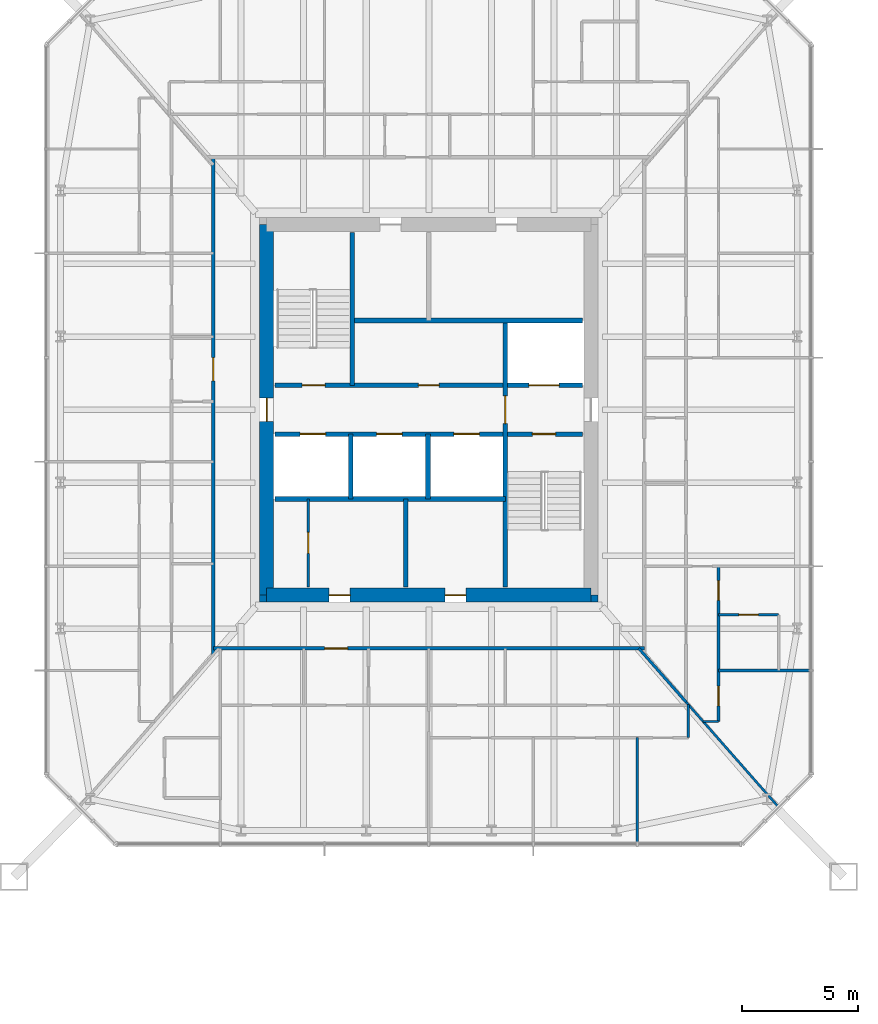
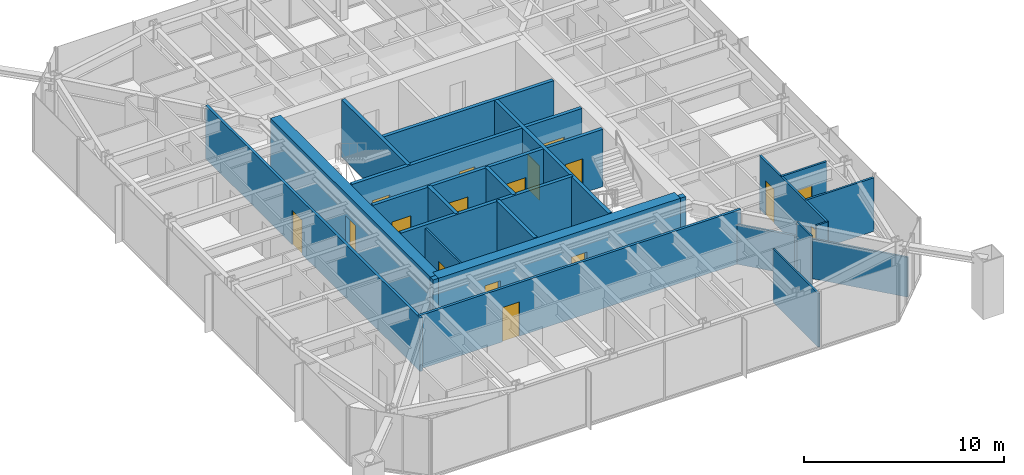
# One storey, part 19 of 26: 24 walls, 17 doors, 17 openings.
"""IFC4 building model written with IfcOpenShell, lengths in metres."""

from ifc_helpers import new_model, si_unit, direction, frame, frame_2d, origin, place, context, subcontext, project, spatial, rectangle, extrude, material, layer, layer_set, type_object, element, fill, save


model = new_model("IFC4")

# Units and contexts
model_context = context("Model", 3, precision=1e-05, world=origin(), true_north=direction((0.0, 1.0)))
body_context = subcontext(model_context, "Body", "Model", "MODEL_VIEW")
ifc_project = project(units=[si_unit("LENGTHUNIT", "METRE"), si_unit("AREAUNIT", "SQUARE_METRE"), si_unit("VOLUMEUNIT", "CUBIC_METRE"), si_unit("PLANEANGLEUNIT", "RADIAN"), si_unit("MASSUNIT", "GRAM", prefix="KILO")], contexts=[model_context])

# Site, building, storey
site_placement = place(None, origin())
site = spatial("IfcSite", under=ifc_project, at=site_placement, CompositionType="ELEMENT")
building_placement = place(site_placement, origin())
building = spatial("IfcBuilding", under=site, at=building_placement, Name="Iwan Alto Co-Living Towers", CompositionType="ELEMENT")
storey_placement = place(building_placement, frame((0.0, 0.0, 39.5)))
storey = spatial("IfcBuildingStorey", under=building, at=storey_placement, Name="L10", CompositionType="ELEMENT", Elevation=39.5)

# Wall, opening, door
ifc_material_1 = material(Name="Gypsum board")
ifc_layer_1 = layer(ifc_material_1, 0.02490234375, Name="Board", Category="Finish")
ifc_material_2 = material(Name="Steel ASTM A1003 ST33H cold-formed studs", Category="steel")
ifc_layer_2 = layer(ifc_material_2, 0.10009765625, Name="Studs", Category="Framing")
ifc_layer_3 = layer(ifc_material_1, 0.02490234375, Name="Board", Category="Finish")
ifc_layer_set_1 = layer_set([ifc_layer_1, ifc_layer_2, ifc_layer_3], Name="CORRIDOR WALL 150")
wall_type_1 = type_object("IfcWallType", Name="CORRIDOR WALL 150", PredefinedType="PARTITIONING", material=ifc_layer_set_1)
wall_1_placement = place(storey_placement, frame((53.699951171875, -10.300048828125, 0.0), z_axis=(0.0, 0.0, 1.0), x_axis=(1.0, 0.0, 0.0)))
wall_1 = element("IfcWall", 1, at=wall_1_placement, inside=storey, type_object=wall_type_1, Name="Partition L10", PredefinedType="PARTITIONING", context=body_context, shape_type="SweptSolid", body=[
    extrude(rectangle(XDim=18.60009765625, YDim=0.14990234375, at=frame_2d((9.300048828125, 0.0))), origin(), (0.0, 0.0, 1.0), 3.27001953125),
])
opening_1_placement = place(wall_1_placement, frame((4.800048828125, 0.0, 0.0)))
opening_1 = element("IfcOpeningElement", 2, at=opening_1_placement, cuts=wall_1, Name="Opening D3", PredefinedType="OPENING", context=body_context, shape_type="SweptSolid", body=[
    extrude(rectangle(XDim=1.0, YDim=2.10009765625, at=frame_2d((0.5, 1.050048828125))), frame((0.0, 0.0849609375, 0.0), z_axis=(0.0, -1.0, 0.0), x_axis=(1.0, 0.0, 0.0)), (0.0, 0.0, 1.0), 0.169921875),
])
ifc_material_3 = material(Name="Steel frame with timber leaf", Category="steel")
door_type_1 = type_object("IfcDoorType", Name="FLAT ENTRANCE DOOR FD30S 1000X2100", OperationType="SINGLE_SWING_LEFT", PredefinedType="DOOR", material=ifc_material_3)
door_1_placement = place(opening_1_placement, frame((1.0, 0.0, 0.0), z_axis=(0.0, 0.0, 1.0), x_axis=(-1.0, 0.0, 0.0)))
door_1 = element("IfcDoor", 3, at=door_1_placement, inside=storey, type_object=door_type_1, Name="Apartment foyer door L10", OperationType="SINGLE_SWING_RIGHT", OverallHeight=2.10009765625, OverallWidth=1.0, PredefinedType="DOOR", context=body_context, shape_type="SweptSolid", body=[
    extrude(rectangle(XDim=1.0, YDim=2.10009765625, at=frame_2d((0.5, 1.050048828125))), frame((0.0, 0.02490234375, 0.0), z_axis=(0.0, -1.0, 0.0), x_axis=(1.0, 0.0, 0.0)), (0.0, 0.0, 1.0), 0.050048828125),
])
fill(opening_1, door_1)

wall_2_placement = place(storey_placement, frame((53.699951171875, -10.568115234375, 0.0), z_axis=(0.0, 0.0, 1.0), x_axis=(0.0, 1.0, 0.0)))
wall_2 = element("IfcWall", 4, at=wall_2_placement, inside=storey, type_object=wall_type_1, Name="Partition L10", PredefinedType="PARTITIONING", context=body_context, shape_type="SweptSolid", body=[
    extrude(rectangle(XDim=21.468017578125, YDim=0.14990234375, at=frame_2d((10.73388671875, 0.0))), origin(), (0.0, 0.0, 1.0), 3.27001953125),
])
opening_2_placement = place(wall_2_placement, frame((11.818115234375, 0.0, 0.0)))
opening_2 = element("IfcOpeningElement", 5, at=opening_2_placement, cuts=wall_2, Name="Opening D3", PredefinedType="OPENING", context=body_context, shape_type="SweptSolid", body=[
    extrude(rectangle(XDim=1.0, YDim=2.10009765625, at=frame_2d((0.5, 1.050048828125))), frame((0.0, 0.0849609375, 0.0), z_axis=(0.0, -1.0, 0.0), x_axis=(1.0, 0.0, 0.0)), (0.0, 0.0, 1.0), 0.169921875),
])
door_2_placement = place(opening_2_placement, origin())
door_2 = element("IfcDoor", 6, at=door_2_placement, inside=storey, type_object=door_type_1, Name="Apartment foyer door L10", OperationType="SINGLE_SWING_LEFT", OverallHeight=2.10009765625, OverallWidth=1.0, PredefinedType="DOOR", context=body_context, shape_type="SweptSolid", body=[
    extrude(rectangle(XDim=1.0, YDim=2.10009765625, at=frame_2d((0.5, 1.050048828125))), frame((0.0, 0.02490234375, 0.0), z_axis=(0.0, -1.0, 0.0), x_axis=(1.0, 0.0, 0.0)), (0.0, 0.0, 1.0), 0.050048828125),
])
fill(opening_2, door_2)

# Walls
ifc_layer_4 = layer(ifc_material_1, 0.012451171875, Name="Board", Category="Finish")
ifc_layer_5 = layer(ifc_material_2, 0.074951171875, Name="Studs", Category="Framing")
ifc_layer_6 = layer(ifc_material_1, 0.012451171875, Name="Board", Category="Finish")
ifc_layer_set_2 = layer_set([ifc_layer_4, ifc_layer_5, ifc_layer_6], Name="PARTITION 100")
wall_type_2 = type_object("IfcWallType", Name="PARTITION 100", PredefinedType="PARTITIONING", material=ifc_layer_set_2)
wall_3_placement = place(storey_placement, frame((74.8359375, -13.449951171875, 0.0), z_axis=(0.0, 0.0, 1.0), x_axis=(1.0, 0.0, 0.0)))
element("IfcWall", 7, at=wall_3_placement, inside=storey, type_object=wall_type_2, Name="Partition L10", PredefinedType="PARTITIONING", context=body_context, shape_type="SweptSolid", body=[
    extrude(rectangle(XDim=0.6640625, YDim=0.10009765625, at=frame_2d((0.33203125, 0.0))), origin(), (0.0, 0.0, 1.0), 3.27001953125),
])
wall_4_placement = place(storey_placement, frame((74.199951171875, -14.14990234375, 0.0), z_axis=(0.0, 0.0, 1.0), x_axis=(0.0, 1.0, 0.0)))
element("IfcWall", 8, at=wall_4_placement, inside=storey, type_object=wall_type_2, Name="Partition L10", PredefinedType="PARTITIONING", context=body_context, shape_type="SweptSolid", body=[
    extrude(rectangle(XDim=1.4228515625, YDim=0.10009765625, at=frame_2d((0.71142578125, 0.0))), origin(), (0.0, 0.0, 1.0), 3.27001953125),
])
wall_5_placement = place(storey_placement, frame((72.0, -18.68994140625, 0.0), z_axis=(0.0, 0.0, 1.0), x_axis=(0.0, 1.0, 0.0)))
element("IfcWall", 9, at=wall_5_placement, inside=storey, type_object=wall_type_2, Name="Partition L10", PredefinedType="PARTITIONING", context=body_context, shape_type="SweptSolid", body=[
    extrude(rectangle(XDim=4.5400390625, YDim=0.10009765625, at=frame_2d((2.27001953125, 0.0))), origin(), (0.0, 0.0, 1.0), 3.27001953125),
])

# Wall, opening, door
wall_6_placement = place(storey_placement, frame((57.800048828125, -7.639892578125, 0.0), z_axis=(0.0, 0.0, 1.0), x_axis=(0.0, 1.0, 0.0)))
wall_6 = element("IfcWall", 10, at=wall_6_placement, inside=storey, type_object=wall_type_2, Name="Partition L10", PredefinedType="PARTITIONING", context=body_context, shape_type="SweptSolid", body=[
    extrude(rectangle(XDim=3.789794921875, YDim=0.10009765625, at=frame_2d((1.89501953125, 0.0))), origin(), (0.0, 0.0, 1.0), 3.300048828125),
])
opening_3_placement = place(wall_6_placement, frame((1.445068359375, 0.0, 0.0)))
opening_3 = element("IfcOpeningElement", 11, at=opening_3_placement, cuts=wall_6, Name="Opening D16", PredefinedType="OPENING", context=body_context, shape_type="SweptSolid", body=[
    extrude(rectangle(XDim=0.89990234375, YDim=2.10009765625, at=frame_2d((0.449951171875, 1.050048828125))), frame((0.0, 0.06005859375, 0.0), z_axis=(0.0, -1.0, 0.0), x_axis=(1.0, 0.0, 0.0)), (0.0, 0.0, 1.0), 0.1201171875),
])
ifc_material_4 = material(Name="Timber leaf in steel frame", Category="steel")
door_type_2 = type_object("IfcDoorType", Name="CUPBOARD SLIDING DOOR 900X2100", OperationType="SLIDING_TO_LEFT", PredefinedType="DOOR", material=ifc_material_4)
door_3_placement = place(opening_3_placement, origin())
door_3 = element("IfcDoor", 12, at=door_3_placement, inside=storey, type_object=door_type_2, Name="Recycling store door L10", OperationType="SLIDING_TO_LEFT", OverallHeight=2.10009765625, OverallWidth=0.89990234375, PredefinedType="DOOR", context=body_context, shape_type="SweptSolid", body=[
    extrude(rectangle(XDim=0.89990234375, YDim=2.10009765625, at=frame_2d((0.449951171875, 1.050048828125))), frame((0.0, 0.02490234375, 0.0), z_axis=(0.0, -1.0, 0.0), x_axis=(1.0, 0.0, 0.0)), (0.0, 0.0, 1.0), 0.050048828125),
])
fill(opening_3, door_3)

# Walls
wall_7_placement = place(storey_placement, frame((78.056884765625, -17.10888671875, 0.0), z_axis=(0.0, 0.0, 1.0), x_axis=(-0.660775837956, 0.750583301156, 0.0)))
element("IfcWall", 13, at=wall_7_placement, inside=storey, type_object=wall_type_2, Name="Partition L10", PredefinedType="PARTITIONING", context=body_context, shape_type="SweptSolid", body=[
    extrude(rectangle(XDim=5.98876953125, YDim=0.10009765625, at=frame_2d((2.994384765625, 0.0))), origin(), (0.0, 0.0, 1.0), 2.42919921875),
])
ifc_material_5 = material(Name="Concrete f'c 70 MPa", Category="concrete")
ifc_layer_7 = layer(ifc_material_5, 0.199951171875)
ifc_layer_set_3 = layer_set([ifc_layer_7], Name="SHAFT WALL 200")
wall_type_3 = type_object("IfcWallType", Name="SHAFT WALL 200", PredefinedType="SOLIDWALL", material=ifc_layer_set_3)
wall_8_placement = place(storey_placement, frame((56.360107421875, -3.85009765625, 0.0), z_axis=(0.0, 0.0, 1.0), x_axis=(1.0, 0.0, 0.0)))
element("IfcWall", 14, at=wall_8_placement, inside=storey, type_object=wall_type_3, Name="Shaft wall L10", PredefinedType="SOLIDWALL", context=body_context, shape_type="SweptSolid", body=[
    extrude(rectangle(XDim=9.93994140625, YDim=0.199951171875, at=frame_2d((4.969970703125, 0.0))), origin(), (0.0, 0.0, 1.0), 3.5),
])

# Wall, openings, doors
wall_9_placement = place(storey_placement, frame((56.360107421875, -1.050048828125, 0.0), z_axis=(0.0, 0.0, 1.0), x_axis=(1.0, 0.0, 0.0)))
wall_9 = element("IfcWall", 15, at=wall_9_placement, inside=storey, type_object=wall_type_3, Name="Shaft wall L10", PredefinedType="SOLIDWALL", context=body_context, shape_type="SweptSolid", body=[
    extrude(rectangle(XDim=13.27978515625, YDim=0.199951171875, at=frame_2d((6.639892578125, 0.0))), origin(), (0.0, 0.0, 1.0), 3.5),
])
opening_4_placement = place(wall_9_placement, frame((11.110107421875, 0.0, 0.0)))
opening_4 = element("IfcOpeningElement", 16, at=opening_4_placement, cuts=wall_9, Name="Opening D5", PredefinedType="OPENING", context=body_context, shape_type="SweptSolid", body=[
    extrude(rectangle(XDim=1.0, YDim=2.10009765625, at=frame_2d((0.5, 1.050048828125))), frame((0.0, 0.10986328125, 0.0), z_axis=(0.0, -1.0, 0.0), x_axis=(1.0, 0.0, 0.0)), (0.0, 0.0, 1.0), 0.219970703125),
])
opening_5_placement = place(wall_9_placement, frame((1.0869140625, 0.0, 0.0)))
opening_5 = element("IfcOpeningElement", 17, at=opening_5_placement, cuts=wall_9, Name="Opening LD", PredefinedType="OPENING", context=body_context, shape_type="SweptSolid", body=[
    extrude(rectangle(XDim=1.10009765625, YDim=2.10009765625, at=frame_2d((0.550048828125, 1.050048828125))), frame((0.0, 0.10986328125, 0.0), z_axis=(0.0, -1.0, 0.0), x_axis=(1.0, 0.0, 0.0)), (0.0, 0.0, 1.0), 0.219970703125),
])
opening_6_placement = place(wall_9_placement, frame((4.389892578125, 0.0, 0.0)))
opening_6 = element("IfcOpeningElement", 18, at=opening_6_placement, cuts=wall_9, Name="Opening LD", PredefinedType="OPENING", context=body_context, shape_type="SweptSolid", body=[
    extrude(rectangle(XDim=1.10009765625, YDim=2.10009765625, at=frame_2d((0.550048828125, 1.050048828125))), frame((0.0, 0.10986328125, 0.0), z_axis=(0.0, -1.0, 0.0), x_axis=(1.0, 0.0, 0.0)), (0.0, 0.0, 1.0), 0.219970703125),
])
opening_7_placement = place(wall_9_placement, frame((7.72412109375, 0.0, 0.0)))
opening_7 = element("IfcOpeningElement", 19, at=opening_7_placement, cuts=wall_9, Name="Opening LD", PredefinedType="OPENING", context=body_context, shape_type="SweptSolid", body=[
    extrude(rectangle(XDim=1.10009765625, YDim=2.10009765625, at=frame_2d((0.550048828125, 1.050048828125))), frame((0.0, 0.10986328125, 0.0), z_axis=(0.0, -1.0, 0.0), x_axis=(1.0, 0.0, 0.0)), (0.0, 0.0, 1.0), 0.219970703125),
])
ifc_material_6 = material(Name="Steel frame with timber leaf", Category="steel")
door_type_3 = type_object("IfcDoorType", Name="LIFT LANDING DOOR 1100X2100", OperationType="DOUBLE_DOOR_SLIDING", PredefinedType="DOOR", material=ifc_material_6)
door_4_placement = place(opening_5_placement, origin())
door_4 = element("IfcDoor", 20, at=door_4_placement, inside=storey, type_object=door_type_3, Name="Lift P5-1 landing door L10", OperationType="DOUBLE_DOOR_SLIDING", OverallHeight=2.10009765625, OverallWidth=1.10009765625, PredefinedType="DOOR", context=body_context, shape_type="SweptSolid", body=[
    extrude(rectangle(XDim=1.10009765625, YDim=2.10009765625, at=frame_2d((0.550048828125, 1.050048828125))), frame((0.0, 0.02490234375, 0.0), z_axis=(0.0, -1.0, 0.0), x_axis=(1.0, 0.0, 0.0)), (0.0, 0.0, 1.0), 0.050048828125),
])
fill(opening_5, door_4)
door_5_placement = place(opening_6_placement, origin())
door_5 = element("IfcDoor", 21, at=door_5_placement, inside=storey, type_object=door_type_3, Name="Lift P5-2 landing door L10", OperationType="DOUBLE_DOOR_SLIDING", OverallHeight=2.10009765625, OverallWidth=1.10009765625, PredefinedType="DOOR", context=body_context, shape_type="SweptSolid", body=[
    extrude(rectangle(XDim=1.10009765625, YDim=2.10009765625, at=frame_2d((0.550048828125, 1.050048828125))), frame((0.0, 0.02490234375, 0.0), z_axis=(0.0, -1.0, 0.0), x_axis=(1.0, 0.0, 0.0)), (0.0, 0.0, 1.0), 0.050048828125),
])
fill(opening_6, door_5)
door_6_placement = place(opening_7_placement, origin())
door_6 = element("IfcDoor", 22, at=door_6_placement, inside=storey, type_object=door_type_3, Name="Lift P6-3 landing door L10", OperationType="DOUBLE_DOOR_SLIDING", OverallHeight=2.10009765625, OverallWidth=1.10009765625, PredefinedType="DOOR", context=body_context, shape_type="SweptSolid", body=[
    extrude(rectangle(XDim=1.10009765625, YDim=2.10009765625, at=frame_2d((0.550048828125, 1.050048828125))), frame((0.0, 0.02490234375, 0.0), z_axis=(0.0, -1.0, 0.0), x_axis=(1.0, 0.0, 0.0)), (0.0, 0.0, 1.0), 0.050048828125),
])
fill(opening_7, door_6)
ifc_material_7 = material(Name="Steel frame with timber leaf", Category="steel")
door_type_4 = type_object("IfcDoorType", Name="STAIR DOOR FD120S 1000X2100", OperationType="SINGLE_SWING_LEFT", PredefinedType="DOOR", material=ifc_material_7)
door_7_placement = place(opening_4_placement, frame((1.0, 0.0, 0.0), z_axis=(0.0, 0.0, 1.0), x_axis=(-1.0, 0.0, 0.0)))
door_7 = element("IfcDoor", 23, at=door_7_placement, inside=storey, type_object=door_type_4, Name="Stair S2 door L10", OperationType="SINGLE_SWING_RIGHT", OverallHeight=2.10009765625, OverallWidth=1.0, PredefinedType="DOOR", context=body_context, shape_type="SweptSolid", body=[
    extrude(rectangle(XDim=1.0, YDim=2.10009765625, at=frame_2d((0.5, 1.050048828125))), frame((0.0, 0.02490234375, 0.0), z_axis=(0.0, -1.0, 0.0), x_axis=(1.0, 0.0, 0.0)), (0.0, 0.0, 1.0), 0.050048828125),
])
fill(opening_4, door_7)

wall_10_placement = place(storey_placement, frame((56.360107421875, 1.050048828125, 0.0), z_axis=(0.0, 0.0, 1.0), x_axis=(1.0, 0.0, 0.0)))
wall_10 = element("IfcWall", 24, at=wall_10_placement, inside=storey, type_object=wall_type_3, Name="Shaft wall L10", PredefinedType="SOLIDWALL", context=body_context, shape_type="SweptSolid", body=[
    extrude(rectangle(XDim=13.27978515625, YDim=0.199951171875, at=frame_2d((6.639892578125, 0.0))), origin(), (0.0, 0.0, 1.0), 3.5),
])
opening_8_placement = place(wall_10_placement, frame((1.169921875, 0.0, 0.0)))
opening_8 = element("IfcOpeningElement", 25, at=opening_8_placement, cuts=wall_10, Name="Opening D5", PredefinedType="OPENING", context=body_context, shape_type="SweptSolid", body=[
    extrude(rectangle(XDim=1.0, YDim=2.10009765625, at=frame_2d((0.5, 1.050048828125))), frame((0.0, 0.10986328125, 0.0), z_axis=(0.0, -1.0, 0.0), x_axis=(1.0, 0.0, 0.0)), (0.0, 0.0, 1.0), 0.219970703125),
])
opening_9_placement = place(wall_10_placement, frame((6.18994140625, 0.0, 0.0)))
opening_9 = element("IfcOpeningElement", 26, at=opening_9_placement, cuts=wall_10, Name="Opening D8", PredefinedType="OPENING", context=body_context, shape_type="SweptSolid", body=[
    extrude(rectangle(XDim=0.89990234375, YDim=2.10009765625, at=frame_2d((0.449951171875, 1.050048828125))), frame((0.0, 0.10986328125, 0.0), z_axis=(0.0, -1.0, 0.0), x_axis=(1.0, 0.0, 0.0)), (0.0, 0.0, 1.0), 0.219970703125),
])
opening_10_placement = place(wall_10_placement, frame((10.9599609375, 0.0, 0.0)))
opening_10 = element("IfcOpeningElement", 27, at=opening_10_placement, cuts=wall_10, Name="Opening LD2", PredefinedType="OPENING", context=body_context, shape_type="SweptSolid", body=[
    extrude(rectangle(XDim=1.300048828125, YDim=2.10009765625, at=frame_2d((0.64990234375, 1.050048828125))), frame((0.0, 0.10986328125, 0.0), z_axis=(0.0, -1.0, 0.0), x_axis=(1.0, 0.0, 0.0)), (0.0, 0.0, 1.0), 0.219970703125),
])
ifc_material_8 = material(Name="Steel frame with timber leaf", Category="steel")
door_type_5 = type_object("IfcDoorType", Name="LIFT LANDING DOOR 1300X2100", OperationType="SLIDING_TO_LEFT", PredefinedType="DOOR", material=ifc_material_8)
door_8_placement = place(opening_10_placement, origin())
door_8 = element("IfcDoor", 28, at=door_8_placement, inside=storey, type_object=door_type_5, Name="Lift FL2 landing door L10", OperationType="SLIDING_TO_LEFT", OverallHeight=2.10009765625, OverallWidth=1.300048828125, PredefinedType="DOOR", context=body_context, shape_type="SweptSolid", body=[
    extrude(rectangle(XDim=1.300048828125, YDim=2.10009765625, at=frame_2d((0.64990234375, 1.050048828125))), frame((0.0, 0.02490234375, 0.0), z_axis=(0.0, -1.0, 0.0), x_axis=(1.0, 0.0, 0.0)), (0.0, 0.0, 1.0), 0.050048828125),
])
fill(opening_10, door_8)
ifc_material_9 = material(Name="Steel frame with timber leaf", Category="steel")
door_type_6 = type_object("IfcDoorType", Name="RISER DOOR FD120 900X2100", OperationType="SINGLE_SWING_LEFT", PredefinedType="DOOR", material=ifc_material_9)
door_9_placement = place(opening_9_placement, origin())
door_9 = element("IfcDoor", 29, at=door_9_placement, inside=storey, type_object=door_type_6, Name="Riser room door L10", OperationType="SINGLE_SWING_LEFT", OverallHeight=2.10009765625, OverallWidth=0.89990234375, PredefinedType="DOOR", context=body_context, shape_type="SweptSolid", body=[
    extrude(rectangle(XDim=0.89990234375, YDim=2.10009765625, at=frame_2d((0.449951171875, 1.050048828125))), frame((0.0, 0.02490234375, 0.0), z_axis=(0.0, -1.0, 0.0), x_axis=(1.0, 0.0, 0.0)), (0.0, 0.0, 1.0), 0.050048828125),
])
fill(opening_9, door_9)
door_10_placement = place(opening_8_placement, origin())
door_10 = element("IfcDoor", 30, at=door_10_placement, inside=storey, type_object=door_type_4, Name="Stair S1 door L10", OperationType="SINGLE_SWING_RIGHT", OverallHeight=2.10009765625, OverallWidth=1.0, PredefinedType="DOOR", context=body_context, shape_type="SweptSolid", body=[
    extrude(rectangle(XDim=1.0, YDim=2.10009765625, at=frame_2d((0.5, 1.050048828125))), frame((0.0, 0.02490234375, 0.0), z_axis=(0.0, -1.0, 0.0), x_axis=(1.0, 0.0, 0.0)), (0.0, 0.0, 1.0), 0.050048828125),
])
fill(opening_8, door_10)

# Wall
wall_11_placement = place(storey_placement, frame((59.699951171875, 3.85009765625, 0.0), z_axis=(0.0, 0.0, 1.0), x_axis=(1.0, 0.0, 0.0)))
element("IfcWall", 31, at=wall_11_placement, inside=storey, type_object=wall_type_3, Name="Shaft wall L10", PredefinedType="SOLIDWALL", context=body_context, shape_type="SweptSolid", body=[
    extrude(rectangle(XDim=9.93994140625, YDim=0.199951171875, at=frame_2d((4.969970703125, 0.0))), origin(), (0.0, 0.0, 1.0), 3.5),
])

# Wall, opening, door
wall_12_placement = place(storey_placement, frame((66.300048828125, -7.639892578125, 0.0), z_axis=(0.0, 0.0, 1.0), x_axis=(0.0, 1.0, 0.0)))
wall_12 = element("IfcWall", 32, at=wall_12_placement, inside=storey, type_object=wall_type_3, Name="Shaft wall L10", PredefinedType="SOLIDWALL", context=body_context, shape_type="SweptSolid", body=[
    extrude(rectangle(XDim=11.489990234375, YDim=0.199951171875, at=frame_2d((5.7451171875, 0.0))), origin(), (0.0, 0.0, 1.0), 3.5),
])
opening_11_placement = place(wall_12_placement, frame((7.0400390625, 0.0, 0.0)))
opening_11 = element("IfcOpeningElement", 33, at=opening_11_placement, cuts=wall_12, Name="Opening D6", PredefinedType="OPENING", context=body_context, shape_type="SweptSolid", body=[
    extrude(rectangle(XDim=1.199951171875, YDim=2.10009765625, at=frame_2d((0.60009765625, 1.050048828125))), frame((0.0, 0.10986328125, 0.0), z_axis=(0.0, -1.0, 0.0), x_axis=(1.0, 0.0, 0.0)), (0.0, 0.0, 1.0), 0.219970703125),
])
ifc_material_10 = material(Name="Steel frame with timber leaf", Category="steel")
door_type_7 = type_object("IfcDoorType", Name="LOBBY DOOR FD120S 1200X2100", OperationType="SINGLE_SWING_LEFT", PredefinedType="DOOR", material=ifc_material_10)
door_11_placement = place(opening_11_placement, frame((1.199951171875, 0.0, 0.0), z_axis=(0.0, 0.0, 1.0), x_axis=(-1.0, 0.0, 0.0)))
door_11 = element("IfcDoor", 34, at=door_11_placement, inside=storey, type_object=door_type_7, Name="Firefighting lobby door L10", OperationType="SINGLE_SWING_RIGHT", OverallHeight=2.10009765625, OverallWidth=1.199951171875, PredefinedType="DOOR", context=body_context, shape_type="SweptSolid", body=[
    extrude(rectangle(XDim=1.199951171875, YDim=2.10009765625, at=frame_2d((0.60009765625, 1.050048828125))), frame((0.0, 0.02490234375, 0.0), z_axis=(0.0, -1.0, 0.0), x_axis=(1.0, 0.0, 0.0)), (0.0, 0.0, 1.0), 0.050048828125),
])
fill(opening_11, door_11)

# Walls
wall_13_placement = place(storey_placement, frame((62.967041015625, -3.85009765625, 0.0), z_axis=(0.0, 0.0, 1.0), x_axis=(0.0, 1.0, 0.0)))
element("IfcWall", 35, at=wall_13_placement, inside=storey, type_object=wall_type_3, Name="Shaft wall L10", PredefinedType="SOLIDWALL", context=body_context, shape_type="SweptSolid", body=[
    extrude(rectangle(XDim=2.800048828125, YDim=0.199951171875, at=frame_2d((1.39990234375, 0.0))), origin(), (0.0, 0.0, 1.0), 3.5),
])
wall_14_placement = place(storey_placement, frame((62.0, -7.639892578125, 0.0), z_axis=(0.0, 0.0, 1.0), x_axis=(0.0, 1.0, 0.0)))
element("IfcWall", 36, at=wall_14_placement, inside=storey, type_object=wall_type_3, Name="Shaft wall L10", PredefinedType="SOLIDWALL", context=body_context, shape_type="SweptSolid", body=[
    extrude(rectangle(XDim=3.789794921875, YDim=0.199951171875, at=frame_2d((1.89501953125, 0.0))), origin(), (0.0, 0.0, 1.0), 3.5),
])
wall_15_placement = place(storey_placement, frame((59.699951171875, 1.050048828125, 0.0), z_axis=(0.0, 0.0, 1.0), x_axis=(0.0, 1.0, 0.0)))
element("IfcWall", 37, at=wall_15_placement, inside=storey, type_object=wall_type_3, Name="Shaft wall L10", PredefinedType="SOLIDWALL", context=body_context, shape_type="SweptSolid", body=[
    extrude(rectangle(XDim=6.58984375, YDim=0.199951171875, at=frame_2d((3.294921875, 0.0))), origin(), (0.0, 0.0, 1.0), 3.5),
])
wall_16_placement = place(storey_placement, frame((59.633056640625, -3.85009765625, 0.0), z_axis=(0.0, 0.0, 1.0), x_axis=(0.0, 1.0, 0.0)))
element("IfcWall", 38, at=wall_16_placement, inside=storey, type_object=wall_type_3, Name="Shaft wall L10", PredefinedType="SOLIDWALL", context=body_context, shape_type="SweptSolid", body=[
    extrude(rectangle(XDim=2.800048828125, YDim=0.199951171875, at=frame_2d((1.39990234375, 0.0))), origin(), (0.0, 0.0, 1.0), 3.5),
])
ifc_material_11 = material(Name="Concrete f'c 70 MPa", Category="concrete")
ifc_layer_8 = layer(ifc_material_11, 0.300048828125)
ifc_layer_set_4 = layer_set([ifc_layer_8], Name="T2 CORE CORNER FILL 300")
wall_type_4 = type_object("IfcWallType", Name="T2 CORE CORNER FILL 300", PredefinedType="SOLIDWALL", material=ifc_layer_set_4)
for number, where, z_axis, x_axis, name in (
    (39, (55.699951171875, -8.14990234375, 0.0), (0.0, 0.0, 1.0), (1.0, 0.0, 0.0), "T2 core corner SW L10"),
    (40, (70.0, -8.14990234375, 0.0), (0.0, 0.0, 1.0), (1.0, 0.0, 0.0), "T2 core corner SE L10"),
):
    element("IfcWall", number, at=place(storey_placement, frame(where, z_axis=z_axis, x_axis=x_axis)), inside=storey, type_object=wall_type_4, Name=name, PredefinedType="SOLIDWALL", context=body_context, shape_type="SweptSolid", body=[
        extrude(rectangle(XDim=0.300048828125, YDim=0.300048828125, at=frame_2d((0.14990234375, 0.0))), origin(), (0.0, 0.0, 1.0), 3.5),
    ])

# Wall, openings, doors
ifc_material_12 = material(Name="Concrete f'c 70 MPa", Category="concrete")
ifc_layer_9 = layer(ifc_material_12, 0.60009765625)
ifc_layer_set_5 = layer_set([ifc_layer_9], Name="T2 CORE WALL 600")
wall_type_5 = type_object("IfcWallType", Name="T2 CORE WALL 600", PredefinedType="SHEAR", material=ifc_layer_set_5)
wall_17_placement = place(storey_placement, frame((56.0, -8.0, 0.0), z_axis=(0.0, 0.0, 1.0), x_axis=(1.0, 0.0, 0.0)))
wall_17 = element("IfcWall", 41, at=wall_17_placement, inside=storey, type_object=wall_type_5, Name="T2 core wall S L10", PredefinedType="SHEAR", context=body_context, shape_type="SweptSolid", body=[
    extrude(rectangle(XDim=14.0, YDim=0.60009765625, at=frame_2d((7.0, 0.0))), origin(), (0.0, 0.0, 1.0), 3.5),
])
opening_12_placement = place(wall_17_placement, frame((2.699951171875, 0.0, 0.0)))
opening_12 = element("IfcOpeningElement", 42, at=opening_12_placement, cuts=wall_17, Name="Opening D8", PredefinedType="OPENING", context=body_context, shape_type="SweptSolid", body=[
    extrude(rectangle(XDim=0.89990234375, YDim=2.10009765625, at=frame_2d((0.449951171875, 1.050048828125))), frame((0.0, 0.31005859375, 0.0), z_axis=(0.0, -1.0, 0.0), x_axis=(1.0, 0.0, 0.0)), (0.0, 0.0, 1.0), 0.6201171875),
])
opening_13_placement = place(wall_17_placement, frame((7.699951171875, 0.0, 0.0)))
opening_13 = element("IfcOpeningElement", 43, at=opening_13_placement, cuts=wall_17, Name="Opening D8", PredefinedType="OPENING", context=body_context, shape_type="SweptSolid", body=[
    extrude(rectangle(XDim=0.89990234375, YDim=2.10009765625, at=frame_2d((0.449951171875, 1.050048828125))), frame((0.0, 0.31005859375, 0.0), z_axis=(0.0, -1.0, 0.0), x_axis=(1.0, 0.0, 0.0)), (0.0, 0.0, 1.0), 0.6201171875),
])
door_12_placement = place(opening_12_placement, origin())
door_12 = element("IfcDoor", 44, at=door_12_placement, inside=storey, type_object=door_type_6, Name="Refuse room core door L10", OperationType="SINGLE_SWING_LEFT", OverallHeight=2.10009765625, OverallWidth=0.89990234375, PredefinedType="DOOR", context=body_context, shape_type="SweptSolid", body=[
    extrude(rectangle(XDim=0.89990234375, YDim=2.10009765625, at=frame_2d((0.449951171875, 1.050048828125))), frame((0.0, 0.02490234375, 0.0), z_axis=(0.0, -1.0, 0.0), x_axis=(1.0, 0.0, 0.0)), (0.0, 0.0, 1.0), 0.050048828125),
])
fill(opening_12, door_12)
door_13_placement = place(opening_13_placement, origin())
door_13 = element("IfcDoor", 45, at=door_13_placement, inside=storey, type_object=door_type_6, Name="Telecom riser core door L10", OperationType="SINGLE_SWING_LEFT", OverallHeight=2.10009765625, OverallWidth=0.89990234375, PredefinedType="DOOR", context=body_context, shape_type="SweptSolid", body=[
    extrude(rectangle(XDim=0.89990234375, YDim=2.10009765625, at=frame_2d((0.449951171875, 1.050048828125))), frame((0.0, 0.02490234375, 0.0), z_axis=(0.0, -1.0, 0.0), x_axis=(1.0, 0.0, 0.0)), (0.0, 0.0, 1.0), 0.050048828125),
])
fill(opening_13, door_13)

# Wall, opening, door
wall_18_placement = place(storey_placement, frame((56.0, 8.0, 0.0), z_axis=(0.0, 0.0, 1.0), x_axis=(0.0, -1.0, 0.0)))
wall_18 = element("IfcWall", 46, at=wall_18_placement, inside=storey, type_object=wall_type_5, Name="T2 core wall W L10", PredefinedType="SHEAR", context=body_context, shape_type="SweptSolid", body=[
    extrude(rectangle(XDim=16.0, YDim=0.60009765625, at=frame_2d((8.0, 0.0))), origin(), (0.0, 0.0, 1.0), 3.5),
])
opening_14_placement = place(wall_18_placement, frame((7.5, 0.0, 0.0)))
opening_14 = element("IfcOpeningElement", 47, at=opening_14_placement, cuts=wall_18, Name="Opening D7", PredefinedType="OPENING", context=body_context, shape_type="SweptSolid", body=[
    extrude(rectangle(XDim=1.0, YDim=2.10009765625, at=frame_2d((0.5, 1.050048828125))), frame((0.0, 0.31005859375, 0.0), z_axis=(0.0, -1.0, 0.0), x_axis=(1.0, 0.0, 0.0)), (0.0, 0.0, 1.0), 0.6201171875),
])
ifc_material_13 = material(Name="Steel frame with timber leaf", Category="steel")
door_type_8 = type_object("IfcDoorType", Name="CORE DOOR FD120S 1000X2100", OperationType="SINGLE_SWING_LEFT", PredefinedType="DOOR", material=ifc_material_13)
door_14_placement = place(opening_14_placement, origin())
door_14 = element("IfcDoor", 48, at=door_14_placement, inside=storey, type_object=door_type_8, Name="Lift lobby core door L10", OperationType="SINGLE_SWING_RIGHT", OverallHeight=2.10009765625, OverallWidth=1.0, PredefinedType="DOOR", context=body_context, shape_type="SweptSolid", body=[
    extrude(rectangle(XDim=1.0, YDim=2.10009765625, at=frame_2d((0.5, 1.050048828125))), frame((0.0, 0.02490234375, 0.0), z_axis=(0.0, -1.0, 0.0), x_axis=(1.0, 0.0, 0.0)), (0.0, 0.0, 1.0), 0.050048828125),
])
fill(opening_14, door_14)

# Wall
ifc_material_14 = material(Name="Cement board")
ifc_layer_10 = layer(ifc_material_14, 0.012451171875, Name="Board", Category="Finish")
ifc_layer_11 = layer(ifc_material_2, 0.094970703125, Name="Studs", Category="Framing")
ifc_layer_12 = layer(ifc_material_14, 0.012451171875, Name="Board", Category="Finish")
ifc_layer_set_6 = layer_set([ifc_layer_10, ifc_layer_11, ifc_layer_12], Name="WET AREA PARTITION 120")
wall_type_6 = type_object("IfcWallType", Name="WET AREA PARTITION 120", PredefinedType="PARTITIONING", material=ifc_layer_set_6)
wall_19_placement = place(storey_placement, frame((75.5, -11.25, 0.0), z_axis=(0.0, 0.0, 1.0), x_axis=(1.0, 0.0, 0.0)))
element("IfcWall", 49, at=wall_19_placement, inside=storey, type_object=wall_type_6, Name="Partition L10", PredefinedType="PARTITIONING", context=body_context, shape_type="SweptSolid", body=[
    extrude(rectangle(XDim=3.93994140625, YDim=0.1201171875, at=frame_2d((1.969970703125, 0.0))), origin(), (0.0, 0.0, 1.0), 3.27001953125),
])

# Wall, opening, door
wall_20_placement = place(storey_placement, frame((75.5, -8.85009765625, 0.0), z_axis=(0.0, 0.0, 1.0), x_axis=(1.0, 0.0, 0.0)))
wall_20 = element("IfcWall", 50, at=wall_20_placement, inside=storey, type_object=wall_type_6, Name="Partition L10", PredefinedType="PARTITIONING", context=body_context, shape_type="SweptSolid", body=[
    extrude(rectangle(XDim=2.60009765625, YDim=0.1201171875, at=frame_2d((1.300048828125, 0.0))), origin(), (0.0, 0.0, 1.0), 3.27001953125),
])
opening_15_placement = place(wall_20_placement, frame((0.875, 0.0, 0.0)))
opening_15 = element("IfcOpeningElement", 51, at=opening_15_placement, cuts=wall_20, Name="Opening D2", PredefinedType="OPENING", context=body_context, shape_type="SweptSolid", body=[
    extrude(rectangle(XDim=0.85009765625, YDim=2.10009765625, at=frame_2d((0.425048828125, 1.050048828125))), frame((0.0, 0.070068359375, 0.0), z_axis=(0.0, -1.0, 0.0), x_axis=(1.0, 0.0, 0.0)), (0.0, 0.0, 1.0), 0.14013671875),
])
ifc_material_15 = material(Name="Timber leaf in steel frame", Category="steel")
door_type_9 = type_object("IfcDoorType", Name="ROOM DOOR 850X2100", OperationType="SINGLE_SWING_LEFT", PredefinedType="DOOR", material=ifc_material_15)
door_15_placement = place(opening_15_placement, origin())
door_15 = element("IfcDoor", 52, at=door_15_placement, inside=storey, type_object=door_type_9, Name="En-suite shower room door L10", OperationType="SINGLE_SWING_LEFT", OverallHeight=2.10009765625, OverallWidth=0.85009765625, PredefinedType="DOOR", context=body_context, shape_type="SweptSolid", body=[
    extrude(rectangle(XDim=0.85009765625, YDim=2.10009765625, at=frame_2d((0.425048828125, 1.050048828125))), frame((0.0, 0.02490234375, 0.0), z_axis=(0.0, -1.0, 0.0), x_axis=(1.0, 0.0, 0.0)), (0.0, 0.0, 1.0), 0.050048828125),
])
fill(opening_15, door_15)

# Wall, openings, doors
wall_21_placement = place(storey_placement, frame((75.5, -13.449951171875, 0.0), z_axis=(0.0, 0.0, 1.0), x_axis=(0.0, 1.0, 0.0)))
wall_21 = element("IfcWall", 53, at=wall_21_placement, inside=storey, type_object=wall_type_6, Name="Partition L10", PredefinedType="PARTITIONING", context=body_context, shape_type="SweptSolid", body=[
    extrude(rectangle(XDim=6.699951171875, YDim=0.1201171875, at=frame_2d((3.35009765625, 0.0))), origin(), (0.0, 0.0, 1.0), 3.27001953125),
])
opening_16_placement = place(wall_21_placement, frame((5.22509765625, 0.0, 0.0)))
opening_16 = element("IfcOpeningElement", 54, at=opening_16_placement, cuts=wall_21, Name="Opening D2", PredefinedType="OPENING", context=body_context, shape_type="SweptSolid", body=[
    extrude(rectangle(XDim=0.85009765625, YDim=2.10009765625, at=frame_2d((0.425048828125, 1.050048828125))), frame((0.0, 0.070068359375, 0.0), z_axis=(0.0, -1.0, 0.0), x_axis=(1.0, 0.0, 0.0)), (0.0, 0.0, 1.0), 0.14013671875),
])
opening_17_placement = place(wall_21_placement, frame((0.675048828125, 0.0, 0.0)))
opening_17 = element("IfcOpeningElement", 55, at=opening_17_placement, cuts=wall_21, Name="Opening D2", PredefinedType="OPENING", context=body_context, shape_type="SweptSolid", body=[
    extrude(rectangle(XDim=0.85009765625, YDim=2.10009765625, at=frame_2d((0.425048828125, 1.050048828125))), frame((0.0, 0.070068359375, 0.0), z_axis=(0.0, -1.0, 0.0), x_axis=(1.0, 0.0, 0.0)), (0.0, 0.0, 1.0), 0.14013671875),
])
door_16_placement = place(opening_16_placement, frame((0.85009765625, 0.0, 0.0), z_axis=(0.0, 0.0, 1.0), x_axis=(-1.0, 0.0, 0.0)))
door_16 = element("IfcDoor", 56, at=door_16_placement, inside=storey, type_object=door_type_9, Name="Bedroom door L10", OperationType="SINGLE_SWING_RIGHT", OverallHeight=2.10009765625, OverallWidth=0.85009765625, PredefinedType="DOOR", context=body_context, shape_type="SweptSolid", body=[
    extrude(rectangle(XDim=0.85009765625, YDim=2.10009765625, at=frame_2d((0.425048828125, 1.050048828125))), frame((0.0, 0.02490234375, 0.0), z_axis=(0.0, -1.0, 0.0), x_axis=(1.0, 0.0, 0.0)), (0.0, 0.0, 1.0), 0.050048828125),
])
fill(opening_16, door_16)
door_17_placement = place(opening_17_placement, frame((0.85009765625, 0.0, 0.0), z_axis=(0.0, 0.0, 1.0), x_axis=(-1.0, 0.0, 0.0)))
door_17 = element("IfcDoor", 57, at=door_17_placement, inside=storey, type_object=door_type_9, Name="Bedroom door L10", OperationType="SINGLE_SWING_LEFT", OverallHeight=2.10009765625, OverallWidth=0.85009765625, PredefinedType="DOOR", context=body_context, shape_type="SweptSolid", body=[
    extrude(rectangle(XDim=0.85009765625, YDim=2.10009765625, at=frame_2d((0.425048828125, 1.050048828125))), frame((0.0, 0.02490234375, 0.0), z_axis=(0.0, -1.0, 0.0), x_axis=(1.0, 0.0, 0.0)), (0.0, 0.0, 1.0), 0.050048828125),
])
fill(opening_17, door_17)

# Wall
wall_22_placement = place(storey_placement, frame((74.10009765625, -12.614013671875, 0.0), z_axis=(0.0, 0.0, 1.0), x_axis=(-0.660767161141, 0.750590939699, 0.0)))
element("IfcWall", 58, at=wall_22_placement, inside=storey, type_object=wall_type_6, Name="Partition L10", PredefinedType="PARTITIONING", context=body_context, shape_type="SweptSolid", body=[
    extrude(rectangle(XDim=3.082275390625, YDim=0.1201171875, at=frame_2d((1.541015625, 0.0))), origin(), (0.0, 0.0, 1.0), 2.42919921875),
])

save(model, "model.ifc")
